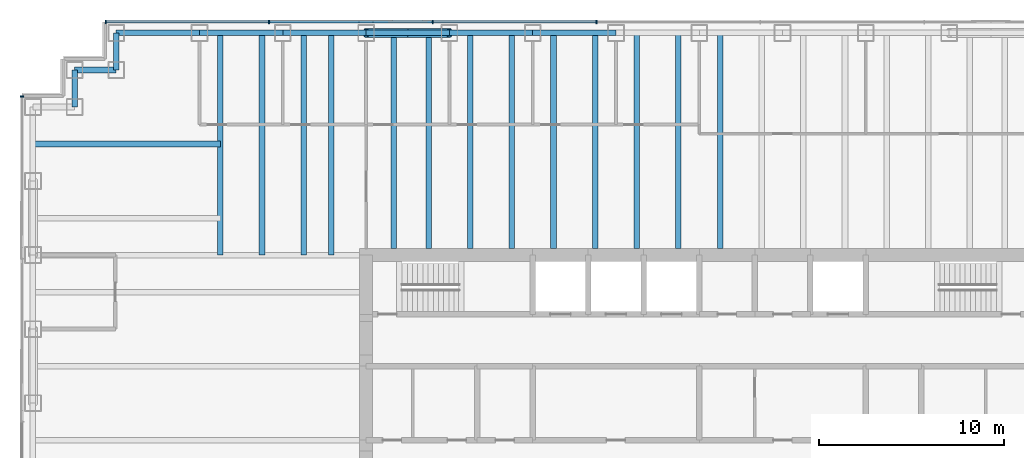
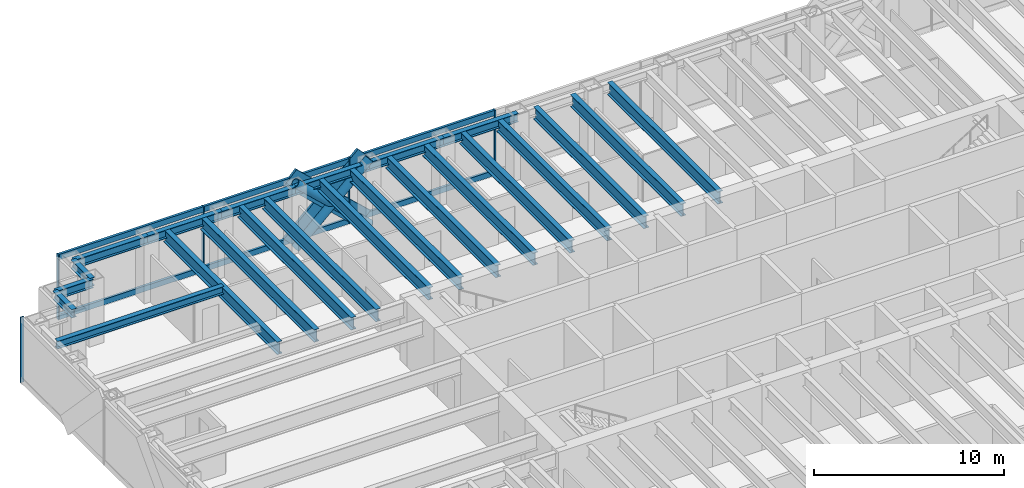
# One storey, part 6 of 17: 23 beams, 15 members, 2 elements without a shape of their own.
"""IFC4 building model written with IfcOpenShell, lengths in metres."""

from ifc_helpers import new_model, si_unit, direction, frame, origin, origin_2d, place, context, subcontext, project, spatial, rectangle, hollow_circle, i_section, extrude, material, material_profile, profile_set, type_object, element, aggregate, save


model = new_model("IFC4")

# Units and contexts
model_context = context("Model", 3, precision=1e-05, world=origin(), true_north=direction((0.0, 1.0)))
body_context = subcontext(model_context, "Body", "Model", "MODEL_VIEW")
ifc_project = project(units=[si_unit("LENGTHUNIT", "METRE"), si_unit("AREAUNIT", "SQUARE_METRE"), si_unit("VOLUMEUNIT", "CUBIC_METRE"), si_unit("PLANEANGLEUNIT", "RADIAN"), si_unit("MASSUNIT", "GRAM", prefix="KILO")], contexts=[model_context])

# Site, building, storey
site_placement = place(None, origin())
site = spatial("IfcSite", under=ifc_project, at=site_placement, CompositionType="ELEMENT")
building_placement = place(site_placement, origin())
building = spatial("IfcBuilding", under=site, at=building_placement, Name="Rheinbord Bourse Tower", CompositionType="ELEMENT")
storey_placement = place(building_placement, frame((0.0, 0.0, 317.300048828125)))
storey = spatial("IfcBuildingStorey", under=building, at=storey_placement, Name="L72", CompositionType="ELEMENT", Elevation=317.300048828125)

# Curtain wall, members
ifc_material_1 = material(Name="Dark glass and black aluminium", Category="aluminium")
curtain_wall_type = type_object("IfcCurtainWallType", Name="CW3 DARK GLASS CURTAIN WALL", PredefinedType="USERDEFINED", material=ifc_material_1)
curtain_wall_1_placement = place(storey_placement, origin())
curtain_wall_1 = element("IfcCurtainWall", 1, at=curtain_wall_1_placement, inside=storey, type_object=curtain_wall_type, Name="Curtain wall CW3 N L72", ObjectType="UNITISED CURTAIN WALL", PredefinedType="USERDEFINED")
ifc_material_2 = material(Name="Black anodised aluminium", Category="aluminium")
ifc_material_profile_1 = material_profile(ifc_material_2, rectangle(XDim=0.14990234375, YDim=1.10791015625, at=origin_2d()), Name="CW3 DIAGONAL MULLION 1108x150")
ifc_profile_set_1 = profile_set([ifc_material_profile_1], Name="Black anodised aluminium")
member_type_1 = type_object("IfcMemberType", Name="CW3 BLACK DIAGONAL MULLION", PredefinedType="USERDEFINED", material=ifc_profile_set_1)
member_1_placement = place(storey_placement, frame((18.0, 44.60009765625, 0.0), z_axis=(0.73105922506, 0.0, 0.682314010889), x_axis=(0.0, 1.0, 0.0)))
member_1 = element("IfcMember", 2, at=member_1_placement, type_object=member_type_1, Name="CW3 diagonal mullion b", ObjectType="DIAGONAL MULLION", PredefinedType="USERDEFINED", context=body_context, shape_type="SweptSolid", body=[
    extrude(rectangle(XDim=0.14990234375, YDim=1.10791015625, at=origin_2d()), origin(), (0.0, 0.0, 1.0), 6.155517578125),
])
member_2_placement = place(storey_placement, frame((22.5, 44.60009765625, 0.0), z_axis=(-0.73105922506, 0.0, 0.682314010889), x_axis=(0.0, -1.0, 0.0)))
member_2 = element("IfcMember", 3, at=member_2_placement, type_object=member_type_1, Name="CW3 diagonal mullion c", ObjectType="DIAGONAL MULLION", PredefinedType="USERDEFINED", context=body_context, shape_type="SweptSolid", body=[
    extrude(rectangle(XDim=0.14990234375, YDim=1.10791015625, at=origin_2d()), origin(), (0.0, 0.0, 1.0), 6.155517578125),
])
ifc_material_3 = material(Name="Black anodised aluminium", Category="aluminium")
ifc_material_profile_2 = material_profile(ifc_material_3, rectangle(XDim=0.199951171875, YDim=0.06494140625, at=origin_2d()), Name="CW3 MULLION 65x200")
ifc_profile_set_2 = profile_set([ifc_material_profile_2], Name="Black anodised aluminium")
member_type_2 = type_object("IfcMemberType", Name="CW3 BLACK MULLION", PredefinedType="MULLION", material=ifc_profile_set_2)
member_3_placement = place(storey_placement, frame((30.449951171875, 44.60009765625, 0.0), z_axis=(0.0, 0.0, 1.0), x_axis=(0.0, -1.0, 0.0)))
member_3 = element("IfcMember", 4, at=member_3_placement, type_object=member_type_2, Name="CW3 mullion 5", PredefinedType="MULLION", context=body_context, shape_type="SweptSolid", body=[
    extrude(rectangle(XDim=0.199951171875, YDim=0.06494140625, at=origin_2d()), origin(), (0.0, 0.0, 1.0), 4.199951171875),
])
member_4_placement = place(storey_placement, frame((21.60009765625, 44.60009765625, 0.0), z_axis=(0.0, 0.0, 1.0), x_axis=(0.0, -1.0, 0.0)))
member_4 = element("IfcMember", 5, at=member_4_placement, type_object=member_type_2, Name="CW3 mullion 6", PredefinedType="MULLION", context=body_context, shape_type="SweptSolid", body=[
    extrude(rectangle(XDim=0.199951171875, YDim=0.06494140625, at=origin_2d()), origin(), (0.0, 0.0, 1.0), 4.199951171875),
])
member_5_placement = place(storey_placement, frame((12.75, 44.60009765625, 0.0), z_axis=(0.0, 0.0, 1.0), x_axis=(0.0, -1.0, 0.0)))
member_5 = element("IfcMember", 6, at=member_5_placement, type_object=member_type_2, Name="CW3 mullion 7", PredefinedType="MULLION", context=body_context, shape_type="SweptSolid", body=[
    extrude(rectangle(XDim=0.199951171875, YDim=0.06494140625, at=origin_2d()), origin(), (0.0, 0.0, 1.0), 4.199951171875),
])
member_6_placement = place(storey_placement, frame((3.9326171875, 44.60009765625, 0.0), z_axis=(0.0, 0.0, 1.0), x_axis=(0.0, -1.0, 0.0)))
member_6 = element("IfcMember", 7, at=member_6_placement, type_object=member_type_2, Name="CW3 mullion 8", PredefinedType="MULLION", context=body_context, shape_type="SweptSolid", body=[
    extrude(rectangle(XDim=0.199951171875, YDim=0.06494140625, at=origin_2d()), origin(), (0.0, 0.0, 1.0), 4.199951171875),
])

# Curtain wall, member
curtain_wall_2_placement = place(storey_placement, origin())
curtain_wall_2 = element("IfcCurtainWall", 8, at=curtain_wall_2_placement, inside=storey, type_object=curtain_wall_type, Name="Curtain wall CW3 W L72", ObjectType="UNITISED CURTAIN WALL", PredefinedType="USERDEFINED")
member_7_placement = place(storey_placement, frame((-0.60009765625, 40.5673828125, 0.0), z_axis=(0.0, 0.0, 1.0), x_axis=(1.0, 0.0, 0.0)))
member_7 = element("IfcMember", 9, at=member_7_placement, type_object=member_type_2, Name="CW3 mullion 1", PredefinedType="MULLION", context=body_context, shape_type="SweptSolid", body=[
    extrude(rectangle(XDim=0.199951171875, YDim=0.06494140625, at=origin_2d()), origin(), (0.0, 0.0, 1.0), 4.199951171875),
])
aggregate(curtain_wall_2, [member_7])

# Member
ifc_material_4 = material(Name="Black anodised aluminium", Category="aluminium")
ifc_material_profile_3 = material_profile(ifc_material_4, rectangle(XDim=0.14990234375, YDim=0.35009765625, at=origin_2d()), Name="CW3 TRANSOM 350x150")
ifc_profile_set_3 = profile_set([ifc_material_profile_3], Name="Black anodised aluminium")
member_type_3 = type_object("IfcMemberType", Name="CW3 BLACK TRANSOM", PredefinedType="USERDEFINED", material=ifc_profile_set_3)
member_8_placement = place(storey_placement, frame((30.41748046875, 44.60009765625, 0.175048828125), z_axis=(-1.0, 0.0, 0.0), x_axis=(0.0, -1.0, 0.0)))
member_8 = element("IfcMember", 10, at=member_8_placement, type_object=member_type_3, Name="CW3 transom 5.1", ObjectType="TRANSOM", PredefinedType="USERDEFINED", context=body_context, shape_type="SweptSolid", body=[
    extrude(rectangle(XDim=0.14990234375, YDim=0.35009765625, at=origin_2d()), origin(), (0.0, 0.0, 1.0), 8.784912109375),
])

member_9_placement = place(storey_placement, frame((30.41748046875, 44.60009765625, 4.02490234375), z_axis=(-1.0, 0.0, 0.0), x_axis=(0.0, -1.0, 0.0)))
member_9 = element("IfcMember", 11, at=member_9_placement, type_object=member_type_3, Name="CW3 transom 5.2", ObjectType="TRANSOM", PredefinedType="USERDEFINED", context=body_context, shape_type="SweptSolid", body=[
    extrude(rectangle(XDim=0.14990234375, YDim=0.35009765625, at=origin_2d()), origin(), (0.0, 0.0, 1.0), 8.784912109375),
])

member_10_placement = place(storey_placement, frame((21.5673828125, 44.60009765625, 0.175048828125), z_axis=(-1.0, 0.0, 0.0), x_axis=(0.0, -1.0, 0.0)))
member_10 = element("IfcMember", 12, at=member_10_placement, type_object=member_type_3, Name="CW3 transom 6.1", ObjectType="TRANSOM", PredefinedType="USERDEFINED", context=body_context, shape_type="SweptSolid", body=[
    extrude(rectangle(XDim=0.14990234375, YDim=0.35009765625, at=origin_2d()), origin(), (0.0, 0.0, 1.0), 8.784912109375),
])

member_11_placement = place(storey_placement, frame((21.5673828125, 44.60009765625, 4.02490234375), z_axis=(-1.0, 0.0, 0.0), x_axis=(0.0, -1.0, 0.0)))
member_11 = element("IfcMember", 13, at=member_11_placement, type_object=member_type_3, Name="CW3 transom 6.2", ObjectType="TRANSOM", PredefinedType="USERDEFINED", context=body_context, shape_type="SweptSolid", body=[
    extrude(rectangle(XDim=0.14990234375, YDim=0.35009765625, at=origin_2d()), origin(), (0.0, 0.0, 1.0), 8.784912109375),
])

member_12_placement = place(storey_placement, frame((12.717529296875, 44.60009765625, 0.175048828125), z_axis=(-1.0, 0.0, 0.0), x_axis=(0.0, -1.0, 0.0)))
member_12 = element("IfcMember", 14, at=member_12_placement, type_object=member_type_3, Name="CW3 transom 7.1", ObjectType="TRANSOM", PredefinedType="USERDEFINED", context=body_context, shape_type="SweptSolid", body=[
    extrude(rectangle(XDim=0.14990234375, YDim=0.35009765625, at=origin_2d()), origin(), (0.0, 0.0, 1.0), 8.75244140625),
])

member_13_placement = place(storey_placement, frame((12.717529296875, 44.60009765625, 4.02490234375), z_axis=(-1.0, 0.0, 0.0), x_axis=(0.0, -1.0, 0.0)))
member_13 = element("IfcMember", 15, at=member_13_placement, type_object=member_type_3, Name="CW3 transom 7.2", ObjectType="TRANSOM", PredefinedType="USERDEFINED", context=body_context, shape_type="SweptSolid", body=[
    extrude(rectangle(XDim=0.14990234375, YDim=0.35009765625, at=origin_2d()), origin(), (0.0, 0.0, 1.0), 8.75244140625),
])

aggregate(curtain_wall_1, [member_3, member_4, member_5, member_6, member_8, member_9, member_10, member_11, member_12, member_13, member_1, member_2])

# Beams
ifc_material_5 = material(Name="Steel S460", Category="steel")
ifc_material_profile_4 = material_profile(ifc_material_5, i_section(OverallWidth=0.300048828125, OverallDepth=0.800048828125, WebThickness=0.017578125, FlangeThickness=0.032958984375, at=origin_2d()), Name="HEB 800")
ifc_profile_set_4 = profile_set([ifc_material_profile_4], Name="Steel S460")
beam_type_1 = type_object("IfcBeamType", Name="FLOOR BEAM HEB 800", PredefinedType="BEAM", material=ifc_profile_set_4)
for number, where, z_axis, x_axis, name in (
    (16, (10.125, 44.0, 3.639892578125), (0.0, -1.0, 0.0), (1.0, 0.0, 0.0), "Floor beam N-9a L73"),
    (17, (12.375, 44.0, 3.639892578125), (0.0, -1.0, 0.0), (1.0, 0.0, 0.0), "Floor beam N-9b L73"),
    (18, (14.625, 44.0, 3.639892578125), (0.0, -1.0, 0.0), (1.0, 0.0, 0.0), "Floor beam N-13.5a L73"),
    (19, (16.125, 44.0, 3.639892578125), (0.0, -1.0, 0.0), (1.0, 0.0, 0.0), "Floor beam N-13.5b L73"),
):
    element("IfcBeam", number, at=place(storey_placement, frame(where, z_axis=z_axis, x_axis=x_axis)), inside=storey, type_object=beam_type_1, Name=name, PredefinedType="BEAM", context=body_context, shape_type="SweptSolid", body=[
        extrude(i_section(OverallWidth=0.300048828125, OverallDepth=0.800048828125, WebThickness=0.017578125, FlangeThickness=0.032958984375, at=origin_2d()), origin(), (0.0, 0.0, 1.0), 12.0),
    ])
for number, where, z_axis, x_axis, name in (
    (20, (19.5, 44.0, 3.639892578125), (0.0, -1.0, 0.0), (1.0, 0.0, 0.0), "Floor beam N-18a L73"),
    (21, (21.375, 44.0, 3.639892578125), (0.0, -1.0, 0.0), (1.0, 0.0, 0.0), "Floor beam N-18b L73"),
    (22, (23.625, 44.0, 3.639892578125), (0.0, -1.0, 0.0), (1.0, 0.0, 0.0), "Floor beam N-22.5a L73"),
    (23, (25.875, 44.0, 3.639892578125), (0.0, -1.0, 0.0), (1.0, 0.0, 0.0), "Floor beam N-22.5b L73"),
    (24, (28.125, 44.0, 3.639892578125), (0.0, -1.0, 0.0), (1.0, 0.0, 0.0), "Floor beam N-27a L73"),
    (25, (30.375, 44.0, 3.639892578125), (0.0, -1.0, 0.0), (1.0, 0.0, 0.0), "Floor beam N-27b L73"),
    (26, (32.625, 44.0, 3.639892578125), (0.0, -1.0, 0.0), (1.0, 0.0, 0.0), "Floor beam N-31.5a L73"),
    (27, (34.875, 44.0, 3.639892578125), (0.0, -1.0, 0.0), (1.0, 0.0, 0.0), "Floor beam N-31.5b L73"),
    (28, (37.125, 44.0, 3.639892578125), (0.0, -1.0, 0.0), (1.0, 0.0, 0.0), "Floor beam N-36a L73"),
):
    element("IfcBeam", number, at=place(storey_placement, frame(where, z_axis=z_axis, x_axis=x_axis)), inside=storey, type_object=beam_type_1, Name=name, PredefinedType="BEAM", context=body_context, shape_type="SweptSolid", body=[
        extrude(i_section(OverallWidth=0.300048828125, OverallDepth=0.800048828125, WebThickness=0.017578125, FlangeThickness=0.032958984375, at=origin_2d()), origin(), (0.0, 0.0, 1.0), 11.64990234375),
    ])

# Members
ifc_material_6 = material(Name="Steel S460", Category="steel")
ifc_material_profile_5 = material_profile(ifc_material_6, hollow_circle(Radius=0.25390625, WallThickness=0.030029296875, at=origin_2d()), Name="CHS 508x30")
ifc_profile_set_5 = profile_set([ifc_material_profile_5], Name="Steel S460")
member_type_4 = type_object("IfcMemberType", Name="MEGABRACE CHS 508x30", PredefinedType="BRACE", material=ifc_profile_set_5)
for number, where, z_axis, x_axis, name in (
    (29, (18.0, 44.0, 0.0), (0.73105922506, 0.0, 0.682314010889), (0.0, 1.0, 0.0), "Megabrace N face line b L72"),
    (30, (22.5, 44.0, 0.0), (-0.73105922506, 0.0, 0.682314010889), (0.0, -1.0, 0.0), "Megabrace N face line c L72"),
):
    element("IfcMember", number, at=place(storey_placement, frame(where, z_axis=z_axis, x_axis=x_axis)), inside=storey, type_object=member_type_4, Name=name, PredefinedType="BRACE", context=body_context, shape_type="SweptSolid", body=[
        extrude(hollow_circle(Radius=0.25390625, WallThickness=0.030029296875, at=origin_2d()), origin(), (0.0, 0.0, 1.0), 6.155517578125),
    ])

# Beams
ifc_material_7 = material(Name="Steel S460", Category="steel")
ifc_material_profile_6 = material_profile(ifc_material_7, i_section(OverallWidth=0.300048828125, OverallDepth=0.550048828125, WebThickness=0.014892578125, FlangeThickness=0.029052734375, at=origin_2d()), Name="HEB 550")
ifc_profile_set_6 = profile_set([ifc_material_profile_6], Name="Steel S460")
beam_type_2 = type_object("IfcBeamType", Name="SPANDREL HEB 550", PredefinedType="SPANDREL", material=ifc_profile_set_6)
for number, where, z_axis, x_axis, name in (
    (31, (31.5, 44.0, 3.764892578125), (-1.0, 0.0, 0.0), (0.0, -1.0, 0.0), "Spandrel N-31.5-N-27 under L73"),
    (32, (27.0, 44.0, 3.764892578125), (-1.0, 0.0, 0.0), (0.0, -1.0, 0.0), "Spandrel N-27-N-22.5 under L73"),
    (33, (22.5, 44.0, 3.764892578125), (-1.0, 0.0, 0.0), (0.0, -1.0, 0.0), "Spandrel N-22.5-N-18 under L73"),
    (34, (18.0, 44.0, 3.764892578125), (-1.0, 0.0, 0.0), (0.0, -1.0, 0.0), "Spandrel N-18-N-13.5 under L73"),
    (35, (13.5, 44.0, 3.764892578125), (-1.0, 0.0, 0.0), (0.0, -1.0, 0.0), "Spandrel N-13.5-N-9 under L73"),
    (36, (9.0, 44.0, 3.764892578125), (-1.0, 0.0, 0.0), (0.0, -1.0, 0.0), "Spandrel N-9-NW-E under L73"),
):
    element("IfcBeam", number, at=place(storey_placement, frame(where, z_axis=z_axis, x_axis=x_axis)), inside=storey, type_object=beam_type_2, Name=name, PredefinedType="SPANDREL", context=body_context, shape_type="SweptSolid", body=[
        extrude(i_section(OverallWidth=0.300048828125, OverallDepth=0.550048828125, WebThickness=0.014892578125, FlangeThickness=0.029052734375, at=origin_2d()), origin(), (0.0, 0.0, 1.0), 4.5),
    ])
beam_1_placement = place(storey_placement, frame((4.5, 44.0, 3.764892578125), z_axis=(0.0, -1.0, 0.0), x_axis=(1.0, 0.0, 0.0)))
element("IfcBeam", 37, at=beam_1_placement, inside=storey, type_object=beam_type_2, Name="Spandrel NW-E-NW-D under L73", PredefinedType="SPANDREL", context=body_context, shape_type="SweptSolid", body=[
    extrude(i_section(OverallWidth=0.300048828125, OverallDepth=0.550048828125, WebThickness=0.014892578125, FlangeThickness=0.029052734375, at=origin_2d()), origin(), (0.0, 0.0, 1.0), 2.0),
])
beam_2_placement = place(storey_placement, frame((4.5, 42.0, 3.764892578125), z_axis=(-1.0, 0.0, 0.0), x_axis=(0.0, -1.0, 0.0)))
element("IfcBeam", 38, at=beam_2_placement, inside=storey, type_object=beam_type_2, Name="Spandrel NW-D-NW-C under L73", PredefinedType="SPANDREL", context=body_context, shape_type="SweptSolid", body=[
    extrude(i_section(OverallWidth=0.300048828125, OverallDepth=0.550048828125, WebThickness=0.014892578125, FlangeThickness=0.029052734375, at=origin_2d()), origin(), (0.0, 0.0, 1.0), 2.25),
])
beam_3_placement = place(storey_placement, frame((2.25, 42.0, 3.764892578125), z_axis=(0.0, -1.0, 0.0), x_axis=(1.0, 0.0, 0.0)))
element("IfcBeam", 39, at=beam_3_placement, inside=storey, type_object=beam_type_2, Name="Spandrel NW-C-NW-B under L73", PredefinedType="SPANDREL", context=body_context, shape_type="SweptSolid", body=[
    extrude(i_section(OverallWidth=0.300048828125, OverallDepth=0.550048828125, WebThickness=0.014892578125, FlangeThickness=0.029052734375, at=origin_2d()), origin(), (0.0, 0.0, 1.0), 2.0),
])
ifc_material_8 = material(Name="Steel S460", Category="steel")
ifc_material_profile_7 = material_profile(ifc_material_8, i_section(OverallWidth=0.300048828125, OverallDepth=0.5, WebThickness=0.014404296875, FlangeThickness=0.028076171875, at=origin_2d()), Name="HEB 500")
ifc_profile_set_7 = profile_set([ifc_material_profile_7], Name="Steel S460")
beam_type_3 = type_object("IfcBeamType", Name="TIE BEAM HEB 500", PredefinedType="JOIST", material=ifc_profile_set_7)
beam_4_placement = place(storey_placement, frame((0.0, 38.0, 3.7900390625), z_axis=(1.0, 0.0, 0.0), x_axis=(0.0, 1.0, 0.0)))
element("IfcBeam", 40, at=beam_4_placement, inside=storey, type_object=beam_type_3, Name="Tie west 38 L73", PredefinedType="JOIST", context=body_context, shape_type="SweptSolid", body=[
    extrude(i_section(OverallWidth=0.300048828125, OverallDepth=0.5, WebThickness=0.014404296875, FlangeThickness=0.028076171875, at=origin_2d()), origin(), (0.0, 0.0, 1.0), 10.125),
])

save(model, "model.ifc")
